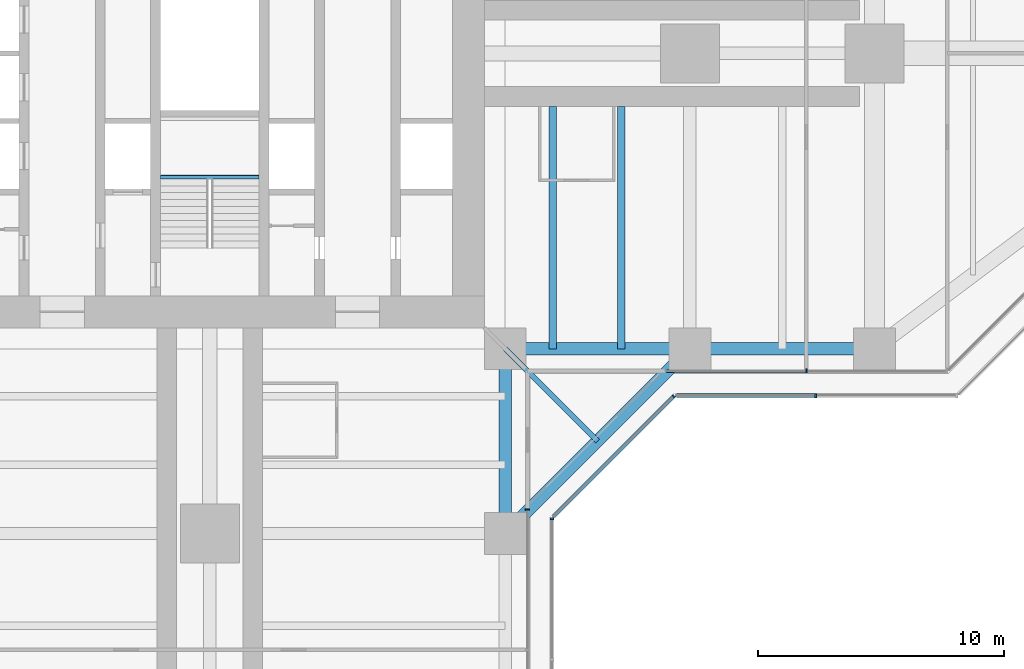
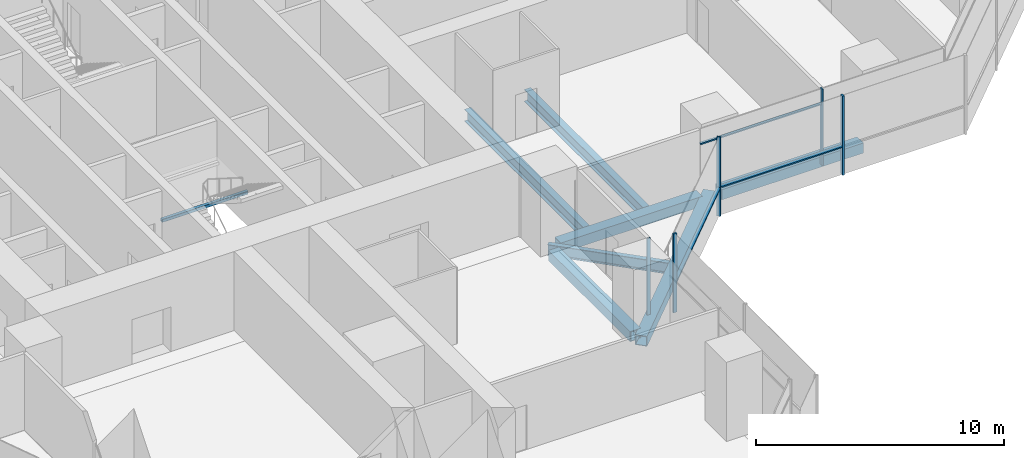
# One storey, part 6 of 22: 8 beams, 8 members, 5 elements without a shape of their own.
"""IFC4 building model written with IfcOpenShell, lengths in metres."""

from ifc_helpers import new_model, si_unit, direction, frame, origin, origin_2d, place, context, subcontext, project, spatial, rectangle, hollow_rectangle, i_section, extrude, material, material_profile, profile_set, type_object, element, aggregate, save


model = new_model("IFC4")

# Units and contexts
model_context = context("Model", 3, precision=1e-05, world=origin(), true_north=direction((0.0, 1.0)))
body_context = subcontext(model_context, "Body", "Model", "MODEL_VIEW")
ifc_project = project(units=[si_unit("LENGTHUNIT", "METRE"), si_unit("AREAUNIT", "SQUARE_METRE"), si_unit("VOLUMEUNIT", "CUBIC_METRE"), si_unit("PLANEANGLEUNIT", "RADIAN"), si_unit("MASSUNIT", "GRAM", prefix="KILO")], contexts=[model_context])

# Site, building, storey
site_placement = place(None, origin())
site = spatial("IfcSite", under=ifc_project, at=site_placement, CompositionType="ELEMENT")
building_placement = place(site_placement, origin())
building = spatial("IfcBuilding", under=site, at=building_placement, Name="Mizan Broadcast Tower", CompositionType="ELEMENT")
storey_placement = place(building_placement, frame((0.0, 0.0, 102.0)))
storey = spatial("IfcBuildingStorey", under=building, at=storey_placement, Name="L22", CompositionType="ELEMENT", Elevation=102.0)

# Beams
ifc_material_1 = material(Name="Steel S355", Category="steel")
ifc_material_profile_1 = material_profile(ifc_material_1, hollow_rectangle(XDim=0.5, YDim=0.5, WallThickness=0.030029296875, at=origin_2d()), Name="BOX 500x500x30")
ifc_profile_set_1 = profile_set([ifc_material_profile_1], Name="Steel S355")
beam_type_1 = type_object("IfcBeamType", Name="EDGE BEAM BOX 500x500x30", PredefinedType="SPANDREL", material=ifc_profile_set_1)
for number, where, z_axis, x_axis, name in (
    (1, (12.449951171875, -12.0, -0.3798828125), (1.0, 0.0, 0.0), (0.0, 1.0, 0.0), "Edge beam BOX 500x500x30 L22 east arm"),
    (2, (19.949951171875, -12.0, -0.3798828125), (1.0, 0.0, 0.0), (0.0, 1.0, 0.0), "Edge beam BOX 500x500x30 L22 east arm"),
    (3, (12.0, -12.449951171875, -0.3798828125), (0.0, -1.0, 0.0), (1.0, 0.0, 0.0), "Edge beam BOX 500x500x30 L22 south arm"),
):
    element("IfcBeam", number, at=place(storey_placement, frame(where, z_axis=z_axis, x_axis=x_axis)), inside=storey, type_object=beam_type_1, Name=name, PredefinedType="SPANDREL", context=body_context, shape_type="SweptSolid", body=[
        extrude(hollow_rectangle(XDim=0.5, YDim=0.5, WallThickness=0.030029296875, at=origin_2d()), origin(), (0.0, 0.0, 1.0), 6.60009765625),
    ])
beam_1_placement = place(storey_placement, frame((12.0, -19.5, -0.3798828125), z_axis=(0.707106781187, 0.707106781187, 0.0), x_axis=(-0.707106781187, 0.707106781187, 0.0)))
element("IfcBeam", 4, at=beam_1_placement, inside=storey, type_object=beam_type_1, Name="Winter garden edge beam L22 S", PredefinedType="SPANDREL", context=body_context, shape_type="SweptSolid", body=[
    extrude(hollow_rectangle(XDim=0.5, YDim=0.5, WallThickness=0.030029296875, at=origin_2d()), origin(), (0.0, 0.0, 1.0), 10.606689453125),
])

# Curtain wall, member
ifc_material_2 = material(Name="Aluminium framed glazing", Category="aluminium")
curtain_wall_type_1 = type_object("IfcCurtainWallType", Name="INNER SKIN LOW ZONE", PredefinedType="USERDEFINED", material=ifc_material_2)
curtain_wall_1_placement = place(storey_placement, origin())
curtain_wall_1 = element("IfcCurtainWall", 5, at=curtain_wall_1_placement, inside=storey, type_object=curtain_wall_type_1, Name="Inner skin low zone L22 E side", ObjectType="INNER SKIN LOW ZONE", PredefinedType="USERDEFINED")
ifc_material_3 = material(Name="Aluminium, pale anodised", Category="aluminium")
ifc_material_profile_2 = material_profile(ifc_material_3, rectangle(XDim=0.159912109375, YDim=0.06005859375, at=origin_2d()), Name="MULLION 160x60")
ifc_profile_set_2 = profile_set([ifc_material_profile_2], Name="Aluminium, pale anodised")
member_type_1 = type_object("IfcMemberType", Name="INNER SKIN MULLION 60x160", PredefinedType="MULLION", material=ifc_profile_set_2)
member_1_placement = place(storey_placement, frame((24.229248046875, -12.89990234375, 0.0), z_axis=(0.0, 0.0, 1.0), x_axis=(0.0, 1.0, 0.0)))
member_1 = element("IfcMember", 6, at=member_1_placement, type_object=member_type_1, Name="Inner skin low zone L22 E side mullion 2", PredefinedType="MULLION", context=body_context, shape_type="SweptSolid", body=[
    extrude(rectangle(XDim=0.159912109375, YDim=0.06005859375, at=origin_2d()), origin(), (0.0, 0.0, 1.0), 3.77001953125),
])

curtain_wall_2_placement = place(storey_placement, origin())
curtain_wall_2 = element("IfcCurtainWall", 7, at=curtain_wall_2_placement, inside=storey, type_object=curtain_wall_type_1, Name="Inner skin low zone L22 S side", ObjectType="INNER SKIN LOW ZONE", PredefinedType="USERDEFINED")
member_2_placement = place(storey_placement, frame((12.89990234375, -18.530029296875, 0.0), z_axis=(0.0, 0.0, 1.0), x_axis=(-1.0, 0.0, 0.0)))
member_2 = element("IfcMember", 8, at=member_2_placement, type_object=member_type_1, Name="Inner skin low zone L22 S side mullion 3", PredefinedType="MULLION", context=body_context, shape_type="SweptSolid", body=[
    extrude(rectangle(XDim=0.159912109375, YDim=0.06005859375, at=origin_2d()), origin(), (0.0, 0.0, 1.0), 3.77001953125),
])
aggregate(curtain_wall_2, [member_2])

# Member
ifc_material_4 = material(Name="Aluminium, pale anodised", Category="aluminium")
ifc_material_profile_3 = material_profile(ifc_material_4, rectangle(XDim=0.1201171875, YDim=0.06005859375, at=origin_2d()), Name="TRANSOM 120x60")
ifc_profile_set_3 = profile_set([ifc_material_profile_3], Name="Aluminium, pale anodised")
member_type_2 = type_object("IfcMemberType", Name="INNER SKIN TRANSOM 60x120", PredefinedType="USERDEFINED", material=ifc_profile_set_3)
member_3_placement = place(storey_placement, frame((18.56005859375, -12.89990234375, 3.030029296875), z_axis=(1.0, 0.0, 0.0), x_axis=(0.0, 1.0, 0.0)))
member_3 = element("IfcMember", 9, at=member_3_placement, type_object=member_type_2, Name="Inner skin low zone L22 E side transom 1.1", ObjectType="TRANSOM", PredefinedType="USERDEFINED", context=body_context, shape_type="SweptSolid", body=[
    extrude(rectangle(XDim=0.1201171875, YDim=0.06005859375, at=origin_2d()), origin(), (0.0, 0.0, 1.0), 5.63916015625),
])

aggregate(curtain_wall_1, [member_1, member_3])

# Beam
ifc_material_5 = material(Name="Steel S355", Category="steel")
ifc_material_profile_4 = material_profile(ifc_material_5, hollow_rectangle(XDim=0.14990234375, YDim=0.14990234375, WallThickness=0.008056640625, InnerFilletRadius=0.008056640625, OuterFilletRadius=0.011962890625, at=origin_2d()), Name="SHS 150x150x8")
ifc_profile_set_4 = profile_set([ifc_material_profile_4], Name="Steel S355")
beam_type_2 = type_object("IfcBeamType", Name="LANDING TRIMMER SHS 150x150x8", PredefinedType="BEAM", material=ifc_profile_set_4)
beam_2_placement = place(storey_placement, frame((-2.0, -5.02490234375, 1.675048828125), z_axis=(1.0, 0.0, 0.0), x_axis=(0.0, 1.0, 0.0)))
element("IfcBeam", 10, at=beam_2_placement, inside=storey, type_object=beam_type_2, Name="Stair A landing trimmer L22", PredefinedType="BEAM", context=body_context, shape_type="SweptSolid", body=[
    extrude(hollow_rectangle(XDim=0.14990234375, YDim=0.14990234375, WallThickness=0.008056640625, InnerFilletRadius=0.008056640625, OuterFilletRadius=0.011962890625, at=origin_2d()), origin(), (0.0, 0.0, 1.0), 4.0),
])

# Curtain wall, member
ifc_material_6 = material(Name="Aluminium framed glazing", Category="aluminium")
curtain_wall_type_2 = type_object("IfcCurtainWallType", Name="OUTER SKIN", PredefinedType="USERDEFINED", material=ifc_material_6)
curtain_wall_3_placement = place(storey_placement, origin())
curtain_wall_3 = element("IfcCurtainWall", 11, at=curtain_wall_3_placement, inside=storey, type_object=curtain_wall_type_2, Name="Outer skin L22 S side", ObjectType="OUTER SKIN", PredefinedType="USERDEFINED")
ifc_material_7 = material(Name="Aluminium, pale anodised", Category="aluminium")
ifc_material_profile_5 = material_profile(ifc_material_7, rectangle(XDim=0.159912109375, YDim=0.080078125, at=origin_2d()), Name="MULLION 160x80")
ifc_profile_set_5 = profile_set([ifc_material_profile_5], Name="Aluminium, pale anodised")
member_type_3 = type_object("IfcMemberType", Name="OUTER SKIN MULLION 80x160", PredefinedType="MULLION", material=ifc_profile_set_5)
member_4_placement = place(storey_placement, frame((13.89990234375, -18.912841796875, 0.0), z_axis=(0.0, 0.0, 1.0), x_axis=(-1.0, 0.0, 0.0)))
member_4 = element("IfcMember", 12, at=member_4_placement, type_object=member_type_3, Name="Outer skin L22 S side mullion 3", PredefinedType="MULLION", context=body_context, shape_type="SweptSolid", body=[
    extrude(rectangle(XDim=0.159912109375, YDim=0.080078125, at=origin_2d()), origin(), (0.0, 0.0, 1.0), 3.89990234375),
])
aggregate(curtain_wall_3, [member_4])

curtain_wall_4_placement = place(storey_placement, origin())
curtain_wall_4 = element("IfcCurtainWall", 13, at=curtain_wall_4_placement, inside=storey, type_object=curtain_wall_type_2, Name="Outer skin L22 E chamfer", ObjectType="OUTER SKIN", PredefinedType="USERDEFINED")
member_5_placement = place(storey_placement, frame((18.844482421875, -13.92822265625, 0.0), z_axis=(0.0, 0.0, 1.0), x_axis=(-0.707106781187, 0.707106781187, 0.0)))
member_5 = element("IfcMember", 14, at=member_5_placement, type_object=member_type_3, Name="Outer skin L22 E chamfer mullion 2", PredefinedType="MULLION", context=body_context, shape_type="SweptSolid", body=[
    extrude(rectangle(XDim=0.159912109375, YDim=0.080078125, at=origin_2d()), origin(), (0.0, 0.0, 1.0), 3.89990234375),
])

curtain_wall_5_placement = place(storey_placement, origin())
curtain_wall_5 = element("IfcCurtainWall", 15, at=curtain_wall_5_placement, inside=storey, type_object=curtain_wall_type_2, Name="Outer skin L22 E side", ObjectType="OUTER SKIN", PredefinedType="USERDEFINED")
member_6_placement = place(storey_placement, frame((24.622802734375, -13.89990234375, 0.0), z_axis=(0.0, 0.0, 1.0), x_axis=(0.0, 1.0, 0.0)))
member_6 = element("IfcMember", 16, at=member_6_placement, type_object=member_type_3, Name="Outer skin L22 E side mullion 2", PredefinedType="MULLION", context=body_context, shape_type="SweptSolid", body=[
    extrude(rectangle(XDim=0.159912109375, YDim=0.080078125, at=origin_2d()), origin(), (0.0, 0.0, 1.0), 3.89990234375),
])

# Member
ifc_material_8 = material(Name="Aluminium, pale anodised", Category="aluminium")
ifc_material_profile_6 = material_profile(ifc_material_8, rectangle(XDim=0.159912109375, YDim=0.06005859375, at=origin_2d()), Name="TRANSOM 160x60")
ifc_profile_set_6 = profile_set([ifc_material_profile_6], Name="Aluminium, pale anodised")
member_type_4 = type_object("IfcMemberType", Name="OUTER SKIN TRANSOM 60x160", PredefinedType="USERDEFINED", material=ifc_profile_set_6)
member_7_placement = place(storey_placement, frame((13.95654296875, -18.816162109375, 1.39990234375), z_axis=(0.707106781187, 0.707106781187, 0.0), x_axis=(-0.707106781187, 0.707106781187, 0.0)))
member_7 = element("IfcMember", 17, at=member_7_placement, type_object=member_type_4, Name="Outer skin L22 E chamfer transom 1.1", ObjectType="TRANSOM", PredefinedType="USERDEFINED", context=body_context, shape_type="SweptSolid", body=[
    extrude(rectangle(XDim=0.159912109375, YDim=0.06005859375, at=origin_2d()), origin(), (0.0, 0.0, 1.0), 6.87255859375),
])

aggregate(curtain_wall_4, [member_5, member_7])

member_8_placement = place(storey_placement, frame((18.952880859375, -13.89990234375, 1.39990234375), z_axis=(1.0, 0.0, 0.0), x_axis=(0.0, 1.0, 0.0)))
member_8 = element("IfcMember", 18, at=member_8_placement, type_object=member_type_4, Name="Outer skin L22 E side transom 1.1", ObjectType="TRANSOM", PredefinedType="USERDEFINED", context=body_context, shape_type="SweptSolid", body=[
    extrude(rectangle(XDim=0.159912109375, YDim=0.06005859375, at=origin_2d()), origin(), (0.0, 0.0, 1.0), 5.6298828125),
])

aggregate(curtain_wall_5, [member_6, member_8])

# Beams
ifc_material_9 = material(Name="Steel S355", Category="steel")
ifc_material_profile_7 = material_profile(ifc_material_9, i_section(OverallWidth=0.300048828125, OverallDepth=0.590087890625, WebThickness=0.012939453125, FlangeThickness=0.02490234375, FilletRadius=0.027099609375, at=origin_2d()), Name="HEA 600")
ifc_profile_set_7 = profile_set([ifc_material_profile_7], Name="Steel S355")
beam_type_3 = type_object("IfcBeamType", Name="SECONDARY BEAM HEA 600", PredefinedType="JOIST", material=ifc_profile_set_7)
for number, where, z_axis, x_axis, name in (
    (19, (13.933349609375, -12.0, -0.425048828125), (0.0, 1.0, 0.0), (-1.0, 0.0, 0.0), "Secondary beam HEA 600 L22 east arm"),
    (20, (16.716552734375, -12.0, -0.425048828125), (0.0, 1.0, 0.0), (-1.0, 0.0, 0.0), "Secondary beam HEA 600 L22 east arm"),
):
    element("IfcBeam", number, at=place(storey_placement, frame(where, z_axis=z_axis, x_axis=x_axis)), inside=storey, type_object=beam_type_3, Name=name, PredefinedType="JOIST", context=body_context, shape_type="SweptSolid", body=[
        extrude(i_section(OverallWidth=0.300048828125, OverallDepth=0.590087890625, WebThickness=0.012939453125, FlangeThickness=0.02490234375, FilletRadius=0.027099609375, at=origin_2d()), origin(), (0.0, 0.0, 1.0), 9.85009765625),
    ])
ifc_material_10 = material(Name="Steel S355", Category="steel")
ifc_material_profile_8 = material_profile(ifc_material_10, i_section(OverallWidth=0.2099609375, OverallDepth=0.550048828125, WebThickness=0.010986328125, FlangeThickness=0.01708984375, FilletRadius=0.02392578125, at=origin_2d()), Name="IPE 550")
ifc_profile_set_8 = profile_set([ifc_material_profile_8], Name="Steel S355")
beam_type_4 = type_object("IfcBeamType", Name="SECONDARY BEAM IPE 550", PredefinedType="JOIST", material=ifc_profile_set_8)
beam_3_placement = place(storey_placement, frame((12.0, -12.0, -0.405029296875), z_axis=(0.707106781187, -0.707106781187, 0.0), x_axis=(0.707106781187, 0.707106781187, 0.0)))
element("IfcBeam", 21, at=beam_3_placement, inside=storey, type_object=beam_type_4, Name="Winter garden beam L22 S", PredefinedType="JOIST", context=body_context, shape_type="SweptSolid", body=[
    extrude(i_section(OverallWidth=0.2099609375, OverallDepth=0.550048828125, WebThickness=0.010986328125, FlangeThickness=0.01708984375, FilletRadius=0.02392578125, at=origin_2d()), origin(), (0.0, 0.0, 1.0), 5.30322265625),
])

save(model, "model.ifc")
